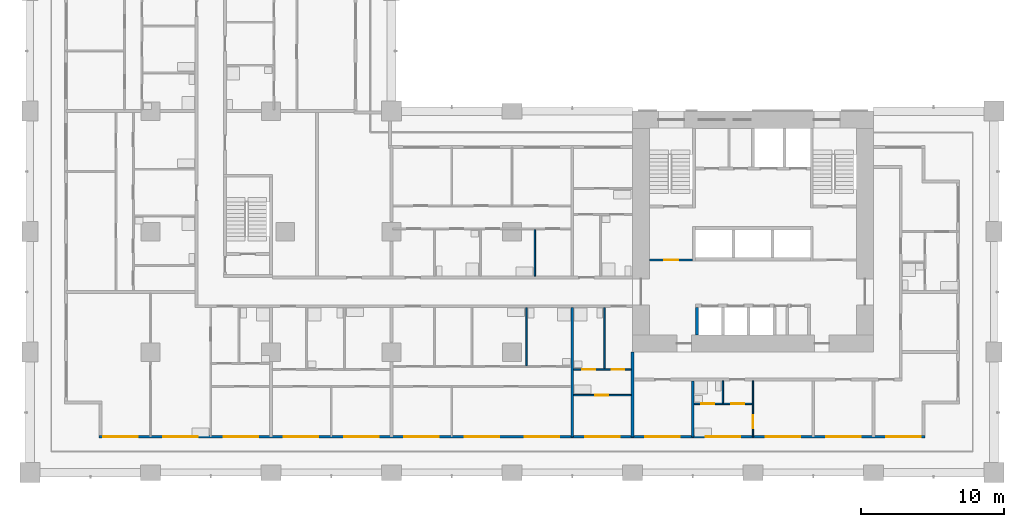
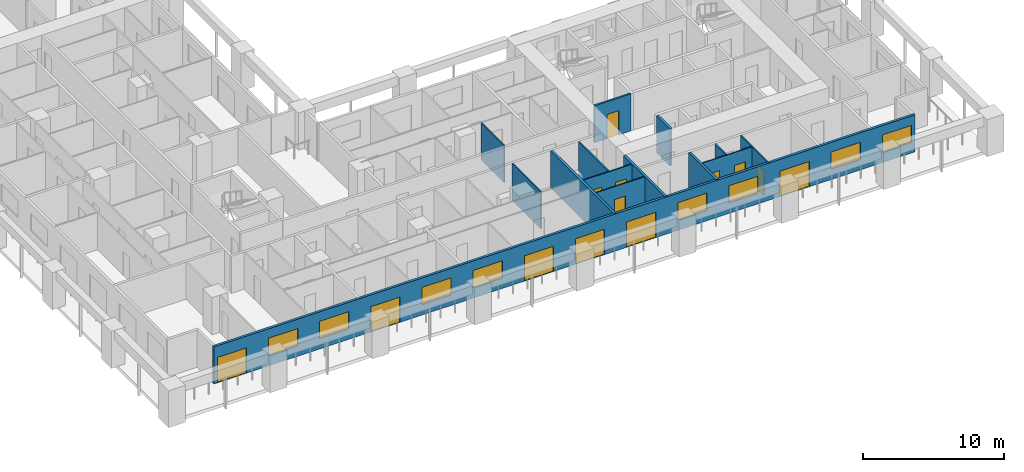
# One storey, part 5 of 19: 14 walls, 13 doors, 8 windows, 21 openings.
"""IFC4 building model written with IfcOpenShell, lengths in metres."""

from ifc_helpers import new_model, si_unit, direction, frame, frame_2d, origin, place, context, subcontext, project, spatial, rectangle, extrude, material, layer, layer_set, type_object, element, fill, save


model = new_model("IFC4")

# Units and contexts
model_context = context("Model", 3, precision=1e-05, world=origin(), true_north=direction((0.0, 1.0)))
body_context = subcontext(model_context, "Body", "Model", "MODEL_VIEW")
ifc_project = project(units=[si_unit("LENGTHUNIT", "METRE"), si_unit("AREAUNIT", "SQUARE_METRE"), si_unit("VOLUMEUNIT", "CUBIC_METRE"), si_unit("PLANEANGLEUNIT", "RADIAN"), si_unit("MASSUNIT", "GRAM", prefix="KILO")], contexts=[model_context])

# Site, building, storey
site_placement = place(None, origin())
site = spatial("IfcSite", under=ifc_project, at=site_placement, CompositionType="ELEMENT")
building_placement = place(site_placement, origin())
building = spatial("IfcBuilding", under=site, at=building_placement, Name="Vermilion Gate Residences", CompositionType="ELEMENT")
storey_placement = place(building_placement, frame((0.0, 0.0, 46.199951171875)))
storey = spatial("IfcBuildingStorey", under=building, at=storey_placement, Name="L10", CompositionType="ELEMENT", Elevation=46.199951171875)

# Wall, opening, door
ifc_material_1 = material(Name="Masonry blockwork", Category="masonry")
ifc_layer_1 = layer(ifc_material_1, 0.14990234375)
ifc_layer_set_1 = layer_set([ifc_layer_1], Name="BLOCKWORK PARTITION 150 EI 120")
wall_type_1 = type_object("IfcWallType", Name="BLOCKWORK PARTITION 150 EI 120", PredefinedType="PARTITIONING", material=ifc_layer_set_1)
wall_1_placement = place(storey_placement, frame((43.199951171875, 14.824951171875, 0.0), z_axis=(0.0, 0.0, 1.0), x_axis=(1.0, 0.0, 0.0)))
wall_1 = element("IfcWall", 1, at=wall_1_placement, inside=storey, type_object=wall_type_1, Name="Core room partition A10-VW-S", PredefinedType="PARTITIONING", context=body_context, shape_type="SweptSolid", body=[
    extrude(rectangle(XDim=3.0, YDim=0.14990234375, at=frame_2d((1.5, 0.0))), origin(), (0.0, 0.0, 1.0), 3.219970703125),
])
opening_1_placement = place(wall_1_placement, frame((1.0, 0.0, 0.0)))
opening_1 = element("IfcOpeningElement", 2, at=opening_1_placement, cuts=wall_1, Name="Opening DK10014", PredefinedType="OPENING", context=body_context, shape_type="SweptSolid", body=[
    extrude(rectangle(XDim=1.0, YDim=2.10009765625, at=frame_2d((0.5, 1.050048828125))), frame((0.0, 0.0849609375, 0.0), z_axis=(0.0, -1.0, 0.0), x_axis=(1.0, 0.0, 0.0)), (0.0, 0.0, 1.0), 0.169921875),
])
ifc_material_2 = material(Name="Steel", Category="steel")
door_type_1 = type_object("IfcDoorType", Name="FIRE DOOR FD60 1000 X 2100", OperationType="SINGLE_SWING_LEFT", PredefinedType="DOOR", material=ifc_material_2)
door_1_placement = place(opening_1_placement, frame((1.0, 0.0, 0.0), z_axis=(0.0, 0.0, 1.0), x_axis=(-1.0, 0.0, 0.0)))
door_1 = element("IfcDoor", 3, at=door_1_placement, inside=storey, type_object=door_type_1, Name="Stair vestibule door A10", OperationType="SINGLE_SWING_RIGHT", OverallHeight=2.10009765625, OverallWidth=1.0, PredefinedType="DOOR", context=body_context, shape_type="SweptSolid", body=[
    extrude(rectangle(XDim=1.0, YDim=2.10009765625, at=frame_2d((0.5, 1.050048828125))), frame((0.0, 0.02490234375, 0.0), z_axis=(0.0, -1.0, 0.0), x_axis=(1.0, 0.0, 0.0)), (0.0, 0.0, 1.0), 0.050048828125),
])
fill(opening_1, door_1)

# Wall, openings, doors, windows
ifc_material_3 = material(Name="Insulated steel stud wall with terracotta rainscreen", Category="masonry")
ifc_layer_2 = layer(ifc_material_3, 0.199951171875)
ifc_layer_set_2 = layer_set([ifc_layer_2], Name="EXTERNAL WALL 200 TERRACOTTA RAINSCREEN")
wall_type_2 = type_object("IfcWallType", Name="EXTERNAL WALL 200 TERRACOTTA RAINSCREEN", PredefinedType="SOLIDWALL", material=ifc_layer_set_2)
wall_2_placement = place(storey_placement, frame((4.800048828125, 2.5, 0.0), z_axis=(0.0, 0.0, 1.0), x_axis=(1.0, 0.0, 0.0)))
wall_2 = element("IfcWall", 4, at=wall_2_placement, inside=storey, type_object=wall_type_2, Name="External wall", PredefinedType="SOLIDWALL", context=body_context, shape_type="SweptSolid", body=[
    extrude(rectangle(XDim=57.599853515625, YDim=0.199951171875, at=frame_2d((28.7998046875, 0.0))), origin(), (0.0, 0.0, 1.0), 3.219970703125),
])
opening_2_placement = place(wall_2_placement, frame((0.300048828125, 0.0, 0.0)))
opening_2 = element("IfcOpeningElement", 5, at=opening_2_placement, cuts=wall_2, Name="Opening DE10014", PredefinedType="OPENING", context=body_context, shape_type="SweptSolid", body=[
    extrude(rectangle(XDim=2.39990234375, YDim=2.199951171875, at=frame_2d((1.199951171875, 1.10009765625))), frame((0.0, 0.10986328125, 0.0), z_axis=(0.0, -1.0, 0.0), x_axis=(1.0, 0.0, 0.0)), (0.0, 0.0, 1.0), 0.219970703125),
])
opening_3_placement = place(wall_2_placement, frame((4.5, 0.0, 0.89990234375)))
opening_3 = element("IfcOpeningElement", 6, at=opening_3_placement, cuts=wall_2, Name="Opening WE10015", PredefinedType="OPENING", context=body_context, shape_type="SweptSolid", body=[
    extrude(rectangle(XDim=2.39990234375, YDim=1.5, at=frame_2d((1.199951171875, 0.75))), frame((0.0, 0.10986328125, 0.0), z_axis=(0.0, -1.0, 0.0), x_axis=(1.0, 0.0, 0.0)), (0.0, 0.0, 1.0), 0.219970703125),
])
opening_4_placement = place(wall_2_placement, frame((8.699951171875, 0.0, 0.89990234375)))
opening_4 = element("IfcOpeningElement", 7, at=opening_4_placement, cuts=wall_2, Name="Opening WE10016", PredefinedType="OPENING", context=body_context, shape_type="SweptSolid", body=[
    extrude(rectangle(XDim=2.39990234375, YDim=1.5, at=frame_2d((1.199951171875, 0.75))), frame((0.0, 0.10986328125, 0.0), z_axis=(0.0, -1.0, 0.0), x_axis=(1.0, 0.0, 0.0)), (0.0, 0.0, 1.0), 0.219970703125),
])
opening_5_placement = place(wall_2_placement, frame((12.89990234375, 0.0, 0.0)))
opening_5 = element("IfcOpeningElement", 8, at=opening_5_placement, cuts=wall_2, Name="Opening DE10017", PredefinedType="OPENING", context=body_context, shape_type="SweptSolid", body=[
    extrude(rectangle(XDim=2.39990234375, YDim=2.199951171875, at=frame_2d((1.199951171875, 1.10009765625))), frame((0.0, 0.10986328125, 0.0), z_axis=(0.0, -1.0, 0.0), x_axis=(1.0, 0.0, 0.0)), (0.0, 0.0, 1.0), 0.219970703125),
])
opening_6_placement = place(wall_2_placement, frame((17.10009765625, 0.0, 0.89990234375)))
opening_6 = element("IfcOpeningElement", 9, at=opening_6_placement, cuts=wall_2, Name="Opening WE10018", PredefinedType="OPENING", context=body_context, shape_type="SweptSolid", body=[
    extrude(rectangle(XDim=2.39990234375, YDim=1.5, at=frame_2d((1.199951171875, 0.75))), frame((0.0, 0.10986328125, 0.0), z_axis=(0.0, -1.0, 0.0), x_axis=(1.0, 0.0, 0.0)), (0.0, 0.0, 1.0), 0.219970703125),
])
opening_7_placement = place(wall_2_placement, frame((21.300048828125, 0.0, 0.89990234375)))
opening_7 = element("IfcOpeningElement", 10, at=opening_7_placement, cuts=wall_2, Name="Opening WE10019", PredefinedType="OPENING", context=body_context, shape_type="SweptSolid", body=[
    extrude(rectangle(XDim=2.39990234375, YDim=1.5, at=frame_2d((1.199951171875, 0.75))), frame((0.0, 0.10986328125, 0.0), z_axis=(0.0, -1.0, 0.0), x_axis=(1.0, 0.0, 0.0)), (0.0, 0.0, 1.0), 0.219970703125),
])
opening_8_placement = place(wall_2_placement, frame((25.5, 0.0, 0.0)))
opening_8 = element("IfcOpeningElement", 11, at=opening_8_placement, cuts=wall_2, Name="Opening DE10020", PredefinedType="OPENING", context=body_context, shape_type="SweptSolid", body=[
    extrude(rectangle(XDim=2.39990234375, YDim=2.199951171875, at=frame_2d((1.199951171875, 1.10009765625))), frame((0.0, 0.10986328125, 0.0), z_axis=(0.0, -1.0, 0.0), x_axis=(1.0, 0.0, 0.0)), (0.0, 0.0, 1.0), 0.219970703125),
])
opening_9_placement = place(wall_2_placement, frame((29.699951171875, 0.0, 0.0)))
opening_9 = element("IfcOpeningElement", 12, at=opening_9_placement, cuts=wall_2, Name="Opening DE10021", PredefinedType="OPENING", context=body_context, shape_type="SweptSolid", body=[
    extrude(rectangle(XDim=2.39990234375, YDim=2.199951171875, at=frame_2d((1.199951171875, 1.10009765625))), frame((0.0, 0.10986328125, 0.0), z_axis=(0.0, -1.0, 0.0), x_axis=(1.0, 0.0, 0.0)), (0.0, 0.0, 1.0), 0.219970703125),
])
opening_10_placement = place(wall_2_placement, frame((33.89990234375, 0.0, 0.0)))
opening_10 = element("IfcOpeningElement", 13, at=opening_10_placement, cuts=wall_2, Name="Opening DE10022", PredefinedType="OPENING", context=body_context, shape_type="SweptSolid", body=[
    extrude(rectangle(XDim=2.39990234375, YDim=2.199951171875, at=frame_2d((1.199951171875, 1.10009765625))), frame((0.0, 0.10986328125, 0.0), z_axis=(0.0, -1.0, 0.0), x_axis=(1.0, 0.0, 0.0)), (0.0, 0.0, 1.0), 0.219970703125),
])
opening_11_placement = place(wall_2_placement, frame((38.10009765625, 0.0, 0.89990234375)))
opening_11 = element("IfcOpeningElement", 14, at=opening_11_placement, cuts=wall_2, Name="Opening WE10023", PredefinedType="OPENING", context=body_context, shape_type="SweptSolid", body=[
    extrude(rectangle(XDim=2.39990234375, YDim=1.5, at=frame_2d((1.199951171875, 0.75))), frame((0.0, 0.10986328125, 0.0), z_axis=(0.0, -1.0, 0.0), x_axis=(1.0, 0.0, 0.0)), (0.0, 0.0, 1.0), 0.219970703125),
])
opening_12_placement = place(wall_2_placement, frame((42.300048828125, 0.0, 0.89990234375)))
opening_12 = element("IfcOpeningElement", 15, at=opening_12_placement, cuts=wall_2, Name="Opening WE10024", PredefinedType="OPENING", context=body_context, shape_type="SweptSolid", body=[
    extrude(rectangle(XDim=2.39990234375, YDim=1.5, at=frame_2d((1.199951171875, 0.75))), frame((0.0, 0.10986328125, 0.0), z_axis=(0.0, -1.0, 0.0), x_axis=(1.0, 0.0, 0.0)), (0.0, 0.0, 1.0), 0.219970703125),
])
opening_13_placement = place(wall_2_placement, frame((46.5, 0.0, 0.0)))
opening_13 = element("IfcOpeningElement", 16, at=opening_13_placement, cuts=wall_2, Name="Opening DE10025", PredefinedType="OPENING", context=body_context, shape_type="SweptSolid", body=[
    extrude(rectangle(XDim=2.39990234375, YDim=2.199951171875, at=frame_2d((1.199951171875, 1.10009765625))), frame((0.0, 0.10986328125, 0.0), z_axis=(0.0, -1.0, 0.0), x_axis=(1.0, 0.0, 0.0)), (0.0, 0.0, 1.0), 0.219970703125),
])
opening_14_placement = place(wall_2_placement, frame((50.699951171875, 0.0, 0.89990234375)))
opening_14 = element("IfcOpeningElement", 17, at=opening_14_placement, cuts=wall_2, Name="Opening WE10026", PredefinedType="OPENING", context=body_context, shape_type="SweptSolid", body=[
    extrude(rectangle(XDim=2.39990234375, YDim=1.5, at=frame_2d((1.199951171875, 0.75))), frame((0.0, 0.10986328125, 0.0), z_axis=(0.0, -1.0, 0.0), x_axis=(1.0, 0.0, 0.0)), (0.0, 0.0, 1.0), 0.219970703125),
])
opening_15_placement = place(wall_2_placement, frame((54.89990234375, 0.0, 0.89990234375)))
opening_15 = element("IfcOpeningElement", 18, at=opening_15_placement, cuts=wall_2, Name="Opening WE10027", PredefinedType="OPENING", context=body_context, shape_type="SweptSolid", body=[
    extrude(rectangle(XDim=2.39990234375, YDim=1.5, at=frame_2d((1.199951171875, 0.75))), frame((0.0, 0.10986328125, 0.0), z_axis=(0.0, -1.0, 0.0), x_axis=(1.0, 0.0, 0.0)), (0.0, 0.0, 1.0), 0.219970703125),
])
ifc_material_4 = material(Name="Aluminium and clear glass", Category="aluminium")
door_type_2 = type_object("IfcDoorType", Name="SLIDING GLAZED DOOR 2400 X 2200", OperationType="DOUBLE_DOOR_SLIDING", PredefinedType="DOOR", material=ifc_material_4)
door_2_placement = place(opening_2_placement, origin())
door_2 = element("IfcDoor", 19, at=door_2_placement, inside=storey, type_object=door_type_2, Name="Loggia sliding door", OperationType="DOUBLE_DOOR_SLIDING", OverallHeight=2.199951171875, OverallWidth=2.39990234375, PredefinedType="DOOR", context=body_context, shape_type="SweptSolid", body=[
    extrude(rectangle(XDim=2.39990234375, YDim=2.199951171875, at=frame_2d((1.199951171875, 1.10009765625))), frame((0.0, 0.02490234375, 0.0), z_axis=(0.0, -1.0, 0.0), x_axis=(1.0, 0.0, 0.0)), (0.0, 0.0, 1.0), 0.050048828125),
])
fill(opening_2, door_2)
door_3_placement = place(opening_5_placement, origin())
door_3 = element("IfcDoor", 20, at=door_3_placement, inside=storey, type_object=door_type_2, Name="Loggia sliding door", OperationType="DOUBLE_DOOR_SLIDING", OverallHeight=2.199951171875, OverallWidth=2.39990234375, PredefinedType="DOOR", context=body_context, shape_type="SweptSolid", body=[
    extrude(rectangle(XDim=2.39990234375, YDim=2.199951171875, at=frame_2d((1.199951171875, 1.10009765625))), frame((0.0, 0.02490234375, 0.0), z_axis=(0.0, -1.0, 0.0), x_axis=(1.0, 0.0, 0.0)), (0.0, 0.0, 1.0), 0.050048828125),
])
fill(opening_5, door_3)
door_4_placement = place(opening_8_placement, origin())
door_4 = element("IfcDoor", 21, at=door_4_placement, inside=storey, type_object=door_type_2, Name="Loggia sliding door", OperationType="DOUBLE_DOOR_SLIDING", OverallHeight=2.199951171875, OverallWidth=2.39990234375, PredefinedType="DOOR", context=body_context, shape_type="SweptSolid", body=[
    extrude(rectangle(XDim=2.39990234375, YDim=2.199951171875, at=frame_2d((1.199951171875, 1.10009765625))), frame((0.0, 0.02490234375, 0.0), z_axis=(0.0, -1.0, 0.0), x_axis=(1.0, 0.0, 0.0)), (0.0, 0.0, 1.0), 0.050048828125),
])
fill(opening_8, door_4)
door_5_placement = place(opening_9_placement, origin())
door_5 = element("IfcDoor", 22, at=door_5_placement, inside=storey, type_object=door_type_2, Name="Loggia sliding door", OperationType="DOUBLE_DOOR_SLIDING", OverallHeight=2.199951171875, OverallWidth=2.39990234375, PredefinedType="DOOR", context=body_context, shape_type="SweptSolid", body=[
    extrude(rectangle(XDim=2.39990234375, YDim=2.199951171875, at=frame_2d((1.199951171875, 1.10009765625))), frame((0.0, 0.02490234375, 0.0), z_axis=(0.0, -1.0, 0.0), x_axis=(1.0, 0.0, 0.0)), (0.0, 0.0, 1.0), 0.050048828125),
])
fill(opening_9, door_5)
door_6_placement = place(opening_10_placement, origin())
door_6 = element("IfcDoor", 23, at=door_6_placement, inside=storey, type_object=door_type_2, Name="Loggia sliding door", OperationType="DOUBLE_DOOR_SLIDING", OverallHeight=2.199951171875, OverallWidth=2.39990234375, PredefinedType="DOOR", context=body_context, shape_type="SweptSolid", body=[
    extrude(rectangle(XDim=2.39990234375, YDim=2.199951171875, at=frame_2d((1.199951171875, 1.10009765625))), frame((0.0, 0.02490234375, 0.0), z_axis=(0.0, -1.0, 0.0), x_axis=(1.0, 0.0, 0.0)), (0.0, 0.0, 1.0), 0.050048828125),
])
fill(opening_10, door_6)
door_7_placement = place(opening_13_placement, origin())
door_7 = element("IfcDoor", 24, at=door_7_placement, inside=storey, type_object=door_type_2, Name="Loggia sliding door", OperationType="DOUBLE_DOOR_SLIDING", OverallHeight=2.199951171875, OverallWidth=2.39990234375, PredefinedType="DOOR", context=body_context, shape_type="SweptSolid", body=[
    extrude(rectangle(XDim=2.39990234375, YDim=2.199951171875, at=frame_2d((1.199951171875, 1.10009765625))), frame((0.0, 0.02490234375, 0.0), z_axis=(0.0, -1.0, 0.0), x_axis=(1.0, 0.0, 0.0)), (0.0, 0.0, 1.0), 0.050048828125),
])
fill(opening_13, door_7)
ifc_material_5 = material(Name="Aluminium and clear glass", Category="aluminium")
window_type = type_object("IfcWindowType", Name="WINDOW 2400 X 1500", PartitioningType="SINGLE_PANEL", PredefinedType="WINDOW", material=ifc_material_5)
window_1_placement = place(opening_3_placement, origin())
window_1 = element("IfcWindow", 25, at=window_1_placement, inside=storey, type_object=window_type, Name="Window", OverallHeight=1.5, OverallWidth=2.39990234375, PartitioningType="SINGLE_PANEL", PredefinedType="WINDOW", context=body_context, shape_type="SweptSolid", body=[
    extrude(rectangle(XDim=2.39990234375, YDim=1.5, at=frame_2d((1.199951171875, 0.75))), frame((0.0, 0.030029296875, 0.0), z_axis=(0.0, -1.0, 0.0), x_axis=(1.0, 0.0, 0.0)), (0.0, 0.0, 1.0), 0.06005859375),
])
fill(opening_3, window_1)
window_2_placement = place(opening_4_placement, origin())
window_2 = element("IfcWindow", 26, at=window_2_placement, inside=storey, type_object=window_type, Name="Window", OverallHeight=1.5, OverallWidth=2.39990234375, PartitioningType="SINGLE_PANEL", PredefinedType="WINDOW", context=body_context, shape_type="SweptSolid", body=[
    extrude(rectangle(XDim=2.39990234375, YDim=1.5, at=frame_2d((1.199951171875, 0.75))), frame((0.0, 0.030029296875, 0.0), z_axis=(0.0, -1.0, 0.0), x_axis=(1.0, 0.0, 0.0)), (0.0, 0.0, 1.0), 0.06005859375),
])
fill(opening_4, window_2)
window_3_placement = place(opening_6_placement, origin())
window_3 = element("IfcWindow", 27, at=window_3_placement, inside=storey, type_object=window_type, Name="Window", OverallHeight=1.5, OverallWidth=2.39990234375, PartitioningType="SINGLE_PANEL", PredefinedType="WINDOW", context=body_context, shape_type="SweptSolid", body=[
    extrude(rectangle(XDim=2.39990234375, YDim=1.5, at=frame_2d((1.199951171875, 0.75))), frame((0.0, 0.030029296875, 0.0), z_axis=(0.0, -1.0, 0.0), x_axis=(1.0, 0.0, 0.0)), (0.0, 0.0, 1.0), 0.06005859375),
])
fill(opening_6, window_3)
window_4_placement = place(opening_7_placement, origin())
window_4 = element("IfcWindow", 28, at=window_4_placement, inside=storey, type_object=window_type, Name="Window", OverallHeight=1.5, OverallWidth=2.39990234375, PartitioningType="SINGLE_PANEL", PredefinedType="WINDOW", context=body_context, shape_type="SweptSolid", body=[
    extrude(rectangle(XDim=2.39990234375, YDim=1.5, at=frame_2d((1.199951171875, 0.75))), frame((0.0, 0.030029296875, 0.0), z_axis=(0.0, -1.0, 0.0), x_axis=(1.0, 0.0, 0.0)), (0.0, 0.0, 1.0), 0.06005859375),
])
fill(opening_7, window_4)
window_5_placement = place(opening_11_placement, origin())
window_5 = element("IfcWindow", 29, at=window_5_placement, inside=storey, type_object=window_type, Name="Window", OverallHeight=1.5, OverallWidth=2.39990234375, PartitioningType="SINGLE_PANEL", PredefinedType="WINDOW", context=body_context, shape_type="SweptSolid", body=[
    extrude(rectangle(XDim=2.39990234375, YDim=1.5, at=frame_2d((1.199951171875, 0.75))), frame((0.0, 0.030029296875, 0.0), z_axis=(0.0, -1.0, 0.0), x_axis=(1.0, 0.0, 0.0)), (0.0, 0.0, 1.0), 0.06005859375),
])
fill(opening_11, window_5)
window_6_placement = place(opening_12_placement, origin())
window_6 = element("IfcWindow", 30, at=window_6_placement, inside=storey, type_object=window_type, Name="Window", OverallHeight=1.5, OverallWidth=2.39990234375, PartitioningType="SINGLE_PANEL", PredefinedType="WINDOW", context=body_context, shape_type="SweptSolid", body=[
    extrude(rectangle(XDim=2.39990234375, YDim=1.5, at=frame_2d((1.199951171875, 0.75))), frame((0.0, 0.030029296875, 0.0), z_axis=(0.0, -1.0, 0.0), x_axis=(1.0, 0.0, 0.0)), (0.0, 0.0, 1.0), 0.06005859375),
])
fill(opening_12, window_6)
window_7_placement = place(opening_14_placement, origin())
window_7 = element("IfcWindow", 31, at=window_7_placement, inside=storey, type_object=window_type, Name="Window", OverallHeight=1.5, OverallWidth=2.39990234375, PartitioningType="SINGLE_PANEL", PredefinedType="WINDOW", context=body_context, shape_type="SweptSolid", body=[
    extrude(rectangle(XDim=2.39990234375, YDim=1.5, at=frame_2d((1.199951171875, 0.75))), frame((0.0, 0.030029296875, 0.0), z_axis=(0.0, -1.0, 0.0), x_axis=(1.0, 0.0, 0.0)), (0.0, 0.0, 1.0), 0.06005859375),
])
fill(opening_14, window_7)
window_8_placement = place(opening_15_placement, origin())
window_8 = element("IfcWindow", 32, at=window_8_placement, inside=storey, type_object=window_type, Name="Window", OverallHeight=1.5, OverallWidth=2.39990234375, PartitioningType="SINGLE_PANEL", PredefinedType="WINDOW", context=body_context, shape_type="SweptSolid", body=[
    extrude(rectangle(XDim=2.39990234375, YDim=1.5, at=frame_2d((1.199951171875, 0.75))), frame((0.0, 0.030029296875, 0.0), z_axis=(0.0, -1.0, 0.0), x_axis=(1.0, 0.0, 0.0)), (0.0, 0.0, 1.0), 0.06005859375),
])
fill(opening_15, window_8)

# Wall, openings, doors
ifc_material_6 = material(Name="Plasterboard on steel studs", Category="steel")
ifc_layer_3 = layer(ifc_material_6, 0.10009765625)
ifc_layer_set_3 = layer_set([ifc_layer_3], Name="PARTITION 100")
wall_type_3 = type_object("IfcWallType", Name="PARTITION 100", PredefinedType="PARTITIONING", material=ifc_layer_set_3)
wall_3_placement = place(storey_placement, frame((46.300048828125, 4.800048828125, 0.0), z_axis=(0.0, 0.0, 1.0), x_axis=(1.0, 0.0, 0.0)))
wall_3 = element("IfcWall", 33, at=wall_3_placement, inside=storey, type_object=wall_type_3, Name="Partition", PredefinedType="PARTITIONING", context=body_context, shape_type="SweptSolid", body=[
    extrude(rectangle(XDim=4.050048828125, YDim=0.10009765625, at=frame_2d((2.02490234375, 0.0))), origin(), (0.0, 0.0, 1.0), 3.219970703125),
])
opening_16_placement = place(wall_3_placement, frame((2.60009765625, 0.0, 0.0)))
opening_16 = element("IfcOpeningElement", 34, at=opening_16_placement, cuts=wall_3, Name="Opening DA10001", PredefinedType="OPENING", context=body_context, shape_type="SweptSolid", body=[
    extrude(rectangle(XDim=0.89990234375, YDim=2.10009765625, at=frame_2d((0.449951171875, 1.050048828125))), frame((0.0, 0.06005859375, 0.0), z_axis=(0.0, -1.0, 0.0), x_axis=(1.0, 0.0, 0.0)), (0.0, 0.0, 1.0), 0.1201171875),
])
opening_17_placement = place(wall_3_placement, frame((0.5, 0.0, 0.0)))
opening_17 = element("IfcOpeningElement", 35, at=opening_17_placement, cuts=wall_3, Name="Opening DA10002", PredefinedType="OPENING", context=body_context, shape_type="SweptSolid", body=[
    extrude(rectangle(XDim=0.89990234375, YDim=2.10009765625, at=frame_2d((0.449951171875, 1.050048828125))), frame((0.0, 0.06005859375, 0.0), z_axis=(0.0, -1.0, 0.0), x_axis=(1.0, 0.0, 0.0)), (0.0, 0.0, 1.0), 0.1201171875),
])
ifc_material_7 = material(Name="Timber", Category="wood")
door_type_3 = type_object("IfcDoorType", Name="INTERIOR DOOR 900 X 2100", OperationType="SINGLE_SWING_LEFT", PredefinedType="DOOR", material=ifc_material_7)
door_8_placement = place(opening_16_placement, frame((0.89990234375, 0.0, 0.0), z_axis=(0.0, 0.0, 1.0), x_axis=(-1.0, 0.0, 0.0)))
door_8 = element("IfcDoor", 36, at=door_8_placement, inside=storey, type_object=door_type_3, Name="Interior door", OperationType="SINGLE_SWING_LEFT", OverallHeight=2.10009765625, OverallWidth=0.89990234375, PredefinedType="DOOR", context=body_context, shape_type="SweptSolid", body=[
    extrude(rectangle(XDim=0.89990234375, YDim=2.10009765625, at=frame_2d((0.449951171875, 1.050048828125))), frame((0.0, 0.02490234375, 0.0), z_axis=(0.0, -1.0, 0.0), x_axis=(1.0, 0.0, 0.0)), (0.0, 0.0, 1.0), 0.050048828125),
])
fill(opening_16, door_8)
door_9_placement = place(opening_17_placement, origin())
door_9 = element("IfcDoor", 37, at=door_9_placement, inside=storey, type_object=door_type_3, Name="Interior door", OperationType="SINGLE_SWING_RIGHT", OverallHeight=2.10009765625, OverallWidth=0.89990234375, PredefinedType="DOOR", context=body_context, shape_type="SweptSolid", body=[
    extrude(rectangle(XDim=0.89990234375, YDim=2.10009765625, at=frame_2d((0.449951171875, 1.050048828125))), frame((0.0, 0.02490234375, 0.0), z_axis=(0.0, -1.0, 0.0), x_axis=(1.0, 0.0, 0.0)), (0.0, 0.0, 1.0), 0.050048828125),
])
fill(opening_17, door_9)

# Wall, opening, door
wall_4_placement = place(storey_placement, frame((37.89990234375, 5.39990234375, 0.0), z_axis=(0.0, 0.0, 1.0), x_axis=(1.0, 0.0, 0.0)))
wall_4 = element("IfcWall", 38, at=wall_4_placement, inside=storey, type_object=wall_type_3, Name="Partition", PredefinedType="PARTITIONING", context=body_context, shape_type="SweptSolid", body=[
    extrude(rectangle(XDim=4.0, YDim=0.10009765625, at=frame_2d((2.0, 0.0))), origin(), (0.0, 0.0, 1.0), 3.219970703125),
])
opening_18_placement = place(wall_4_placement, frame((1.5, 0.0, 0.0)))
opening_18 = element("IfcOpeningElement", 39, at=opening_18_placement, cuts=wall_4, Name="Opening DA10003", PredefinedType="OPENING", context=body_context, shape_type="SweptSolid", body=[
    extrude(rectangle(XDim=0.89990234375, YDim=2.10009765625, at=frame_2d((0.449951171875, 1.050048828125))), frame((0.0, 0.06005859375, 0.0), z_axis=(0.0, -1.0, 0.0), x_axis=(1.0, 0.0, 0.0)), (0.0, 0.0, 1.0), 0.1201171875),
])
door_10_placement = place(opening_18_placement, origin())
door_10 = element("IfcDoor", 40, at=door_10_placement, inside=storey, type_object=door_type_3, Name="Interior door", OperationType="SINGLE_SWING_LEFT", OverallHeight=2.10009765625, OverallWidth=0.89990234375, PredefinedType="DOOR", context=body_context, shape_type="SweptSolid", body=[
    extrude(rectangle(XDim=0.89990234375, YDim=2.10009765625, at=frame_2d((0.449951171875, 1.050048828125))), frame((0.0, 0.02490234375, 0.0), z_axis=(0.0, -1.0, 0.0), x_axis=(1.0, 0.0, 0.0)), (0.0, 0.0, 1.0), 0.050048828125),
])
fill(opening_18, door_10)

# Wall, openings, doors
wall_5_placement = place(storey_placement, frame((37.89990234375, 7.199951171875, 0.0), z_axis=(0.0, 0.0, 1.0), x_axis=(1.0, 0.0, 0.0)))
wall_5 = element("IfcWall", 41, at=wall_5_placement, inside=storey, type_object=wall_type_3, Name="Partition", PredefinedType="PARTITIONING", context=body_context, shape_type="SweptSolid", body=[
    extrude(rectangle(XDim=4.0, YDim=0.10009765625, at=frame_2d((2.0, 0.0))), origin(), (0.0, 0.0, 1.0), 3.219970703125),
])
opening_19_placement = place(wall_5_placement, frame((2.639892578125, 0.0, 0.0)))
opening_19 = element("IfcOpeningElement", 42, at=opening_19_placement, cuts=wall_5, Name="Opening DA10016", PredefinedType="OPENING", context=body_context, shape_type="SweptSolid", body=[
    extrude(rectangle(XDim=0.89990234375, YDim=2.10009765625, at=frame_2d((0.449951171875, 1.050048828125))), frame((0.0, 0.06005859375, 0.0), z_axis=(0.0, -1.0, 0.0), x_axis=(1.0, 0.0, 0.0)), (0.0, 0.0, 1.0), 0.1201171875),
])
opening_20_placement = place(wall_5_placement, frame((0.60009765625, 0.0, 0.0)))
opening_20 = element("IfcOpeningElement", 43, at=opening_20_placement, cuts=wall_5, Name="Opening DA10017", PredefinedType="OPENING", context=body_context, shape_type="SweptSolid", body=[
    extrude(rectangle(XDim=0.89990234375, YDim=2.10009765625, at=frame_2d((0.449951171875, 1.050048828125))), frame((0.0, 0.06005859375, 0.0), z_axis=(0.0, -1.0, 0.0), x_axis=(1.0, 0.0, 0.0)), (0.0, 0.0, 1.0), 0.1201171875),
])
door_11_placement = place(opening_19_placement, frame((0.89990234375, 0.0, 0.0), z_axis=(0.0, 0.0, 1.0), x_axis=(-1.0, 0.0, 0.0)))
door_11 = element("IfcDoor", 44, at=door_11_placement, inside=storey, type_object=door_type_3, Name="Interior door", OperationType="SINGLE_SWING_LEFT", OverallHeight=2.10009765625, OverallWidth=0.89990234375, PredefinedType="DOOR", context=body_context, shape_type="SweptSolid", body=[
    extrude(rectangle(XDim=0.89990234375, YDim=2.10009765625, at=frame_2d((0.449951171875, 1.050048828125))), frame((0.0, 0.02490234375, 0.0), z_axis=(0.0, -1.0, 0.0), x_axis=(1.0, 0.0, 0.0)), (0.0, 0.0, 1.0), 0.050048828125),
])
fill(opening_19, door_11)
door_12_placement = place(opening_20_placement, frame((0.89990234375, 0.0, 0.0), z_axis=(0.0, 0.0, 1.0), x_axis=(-1.0, 0.0, 0.0)))
door_12 = element("IfcDoor", 45, at=door_12_placement, inside=storey, type_object=door_type_3, Name="Interior door", OperationType="SINGLE_SWING_RIGHT", OverallHeight=2.10009765625, OverallWidth=0.89990234375, PredefinedType="DOOR", context=body_context, shape_type="SweptSolid", body=[
    extrude(rectangle(XDim=0.89990234375, YDim=2.10009765625, at=frame_2d((0.449951171875, 1.050048828125))), frame((0.0, 0.02490234375, 0.0), z_axis=(0.0, -1.0, 0.0), x_axis=(1.0, 0.0, 0.0)), (0.0, 0.0, 1.0), 0.050048828125),
])
fill(opening_20, door_12)

# Walls
wall_6_placement = place(storey_placement, frame((34.60009765625, 7.449951171875, 0.0), z_axis=(0.0, 0.0, 1.0), x_axis=(0.0, 1.0, 0.0)))
element("IfcWall", 46, at=wall_6_placement, inside=storey, type_object=wall_type_3, Name="Partition", PredefinedType="PARTITIONING", context=body_context, shape_type="SweptSolid", body=[
    extrude(rectangle(XDim=4.050048828125, YDim=0.10009765625, at=frame_2d((2.02490234375, 0.0))), origin(), (0.0, 0.0, 1.0), 3.219970703125),
])
wall_7_placement = place(storey_placement, frame((35.199951171875, 13.699951171875, 0.0), z_axis=(0.0, 0.0, 1.0), x_axis=(0.0, 1.0, 0.0)))
element("IfcWall", 47, at=wall_7_placement, inside=storey, type_object=wall_type_3, Name="Partition", PredefinedType="PARTITIONING", context=body_context, shape_type="SweptSolid", body=[
    extrude(rectangle(XDim=3.25, YDim=0.10009765625, at=frame_2d((1.625, 0.0))), origin(), (0.0, 0.0, 1.0), 3.219970703125),
])
wall_8_placement = place(storey_placement, frame((40.0400390625, 7.25, 0.0), z_axis=(0.0, 0.0, 1.0), x_axis=(0.0, 1.0, 0.0)))
element("IfcWall", 48, at=wall_8_placement, inside=storey, type_object=wall_type_3, Name="Partition", PredefinedType="PARTITIONING", context=body_context, shape_type="SweptSolid", body=[
    extrude(rectangle(XDim=4.25, YDim=0.10009765625, at=frame_2d((2.125, 0.0))), origin(), (0.0, 0.0, 1.0), 3.219970703125),
])
wall_9_placement = place(storey_placement, frame((48.300048828125, 4.85009765625, 0.0), z_axis=(0.0, 0.0, 1.0), x_axis=(0.0, 1.0, 0.0)))
element("IfcWall", 49, at=wall_9_placement, inside=storey, type_object=wall_type_3, Name="Partition", PredefinedType="PARTITIONING", context=body_context, shape_type="SweptSolid", body=[
    extrude(rectangle(XDim=1.5498046875, YDim=0.10009765625, at=frame_2d((0.77490234375, 0.0))), origin(), (0.0, 0.0, 1.0), 3.219970703125),
])

# Wall, opening, door
wall_10_placement = place(storey_placement, frame((50.39990234375, 2.5, 0.0), z_axis=(0.0, 0.0, 1.0), x_axis=(0.0, 1.0, 0.0)))
wall_10 = element("IfcWall", 50, at=wall_10_placement, inside=storey, type_object=wall_type_3, Name="Partition", PredefinedType="PARTITIONING", context=body_context, shape_type="SweptSolid", body=[
    extrude(rectangle(XDim=3.89990234375, YDim=0.10009765625, at=frame_2d((1.949951171875, 0.0))), origin(), (0.0, 0.0, 1.0), 3.219970703125),
])
opening_21_placement = place(wall_10_placement, frame((0.60009765625, 0.0, 0.0)))
opening_21 = element("IfcOpeningElement", 51, at=opening_21_placement, cuts=wall_10, Name="Opening DA10080", PredefinedType="OPENING", context=body_context, shape_type="SweptSolid", body=[
    extrude(rectangle(XDim=0.89990234375, YDim=2.10009765625, at=frame_2d((0.449951171875, 1.050048828125))), frame((0.0, 0.06005859375, 0.0), z_axis=(0.0, -1.0, 0.0), x_axis=(1.0, 0.0, 0.0)), (0.0, 0.0, 1.0), 0.1201171875),
])
door_13_placement = place(opening_21_placement, origin())
door_13 = element("IfcDoor", 52, at=door_13_placement, inside=storey, type_object=door_type_3, Name="Interior door", OperationType="SINGLE_SWING_LEFT", OverallHeight=2.10009765625, OverallWidth=0.89990234375, PredefinedType="DOOR", context=body_context, shape_type="SweptSolid", body=[
    extrude(rectangle(XDim=0.89990234375, YDim=2.10009765625, at=frame_2d((0.449951171875, 1.050048828125))), frame((0.0, 0.02490234375, 0.0), z_axis=(0.0, -1.0, 0.0), x_axis=(1.0, 0.0, 0.0)), (0.0, 0.0, 1.0), 0.050048828125),
])
fill(opening_21, door_13)

# Walls
ifc_material_8 = material(Name="Fire-rated plasterboard on steel studs", Category="steel")
ifc_layer_4 = layer(ifc_material_8, 0.199951171875)
ifc_layer_set_4 = layer_set([ifc_layer_4], Name="PARTY WALL 200 EI 120")
wall_type_4 = type_object("IfcWallType", Name="PARTY WALL 200 EI 120", PredefinedType="PARTITIONING", material=ifc_layer_set_4)
wall_11_placement = place(storey_placement, frame((37.800048828125, 2.5, 0.0), z_axis=(0.0, 0.0, 1.0), x_axis=(0.0, 1.0, 0.0)))
element("IfcWall", 53, at=wall_11_placement, inside=storey, type_object=wall_type_4, Name="Party and corridor wall", PredefinedType="PARTITIONING", context=body_context, shape_type="SweptSolid", body=[
    extrude(rectangle(XDim=9.0, YDim=0.199951171875, at=frame_2d((4.5, 0.0))), origin(), (0.0, 0.0, 1.0), 3.219970703125),
])
wall_12_placement = place(storey_placement, frame((42.0, 2.5, 0.0), z_axis=(0.0, 0.0, 1.0), x_axis=(0.0, 1.0, 0.0)))
element("IfcWall", 54, at=wall_12_placement, inside=storey, type_object=wall_type_4, Name="Party and corridor wall", PredefinedType="PARTITIONING", context=body_context, shape_type="SweptSolid", body=[
    extrude(rectangle(XDim=5.89990234375, YDim=0.199951171875, at=frame_2d((2.949951171875, 0.0))), origin(), (0.0, 0.0, 1.0), 3.219970703125),
])
wall_13_placement = place(storey_placement, frame((46.199951171875, 2.5, 0.0), z_axis=(0.0, 0.0, 1.0), x_axis=(0.0, 1.0, 0.0)))
element("IfcWall", 55, at=wall_13_placement, inside=storey, type_object=wall_type_4, Name="Party and corridor wall", PredefinedType="PARTITIONING", context=body_context, shape_type="SweptSolid", body=[
    extrude(rectangle(XDim=3.89990234375, YDim=0.199951171875, at=frame_2d((1.949951171875, 0.0))), origin(), (0.0, 0.0, 1.0), 3.219970703125),
])
ifc_material_9 = material(Name="Concrete C60", Category="concrete")
ifc_layer_5 = layer(ifc_material_9, 0.199951171875)
ifc_layer_set_5 = layer_set([ifc_layer_5], Name="RC CORE INTERNAL WALL 200 C60")
wall_type_5 = type_object("IfcWallType", Name="RC CORE INTERNAL WALL 200 C60", PredefinedType="SHEAR", material=ifc_layer_set_5)
wall_14_placement = place(storey_placement, frame((46.5, 9.60009765625, 0.0), z_axis=(0.0, 0.0, 1.0), x_axis=(0.0, 1.0, 0.0)))
element("IfcWall", 56, at=wall_14_placement, inside=storey, type_object=wall_type_5, Name="Core internal wall A10-LR-D0", PredefinedType="SHEAR", context=body_context, shape_type="SweptSolid", body=[
    extrude(rectangle(XDim=1.89990234375, YDim=0.199951171875, at=frame_2d((0.949951171875, 0.0))), origin(), (0.0, 0.0, 1.0), 3.219970703125),
])

save(model, "model.ifc")
